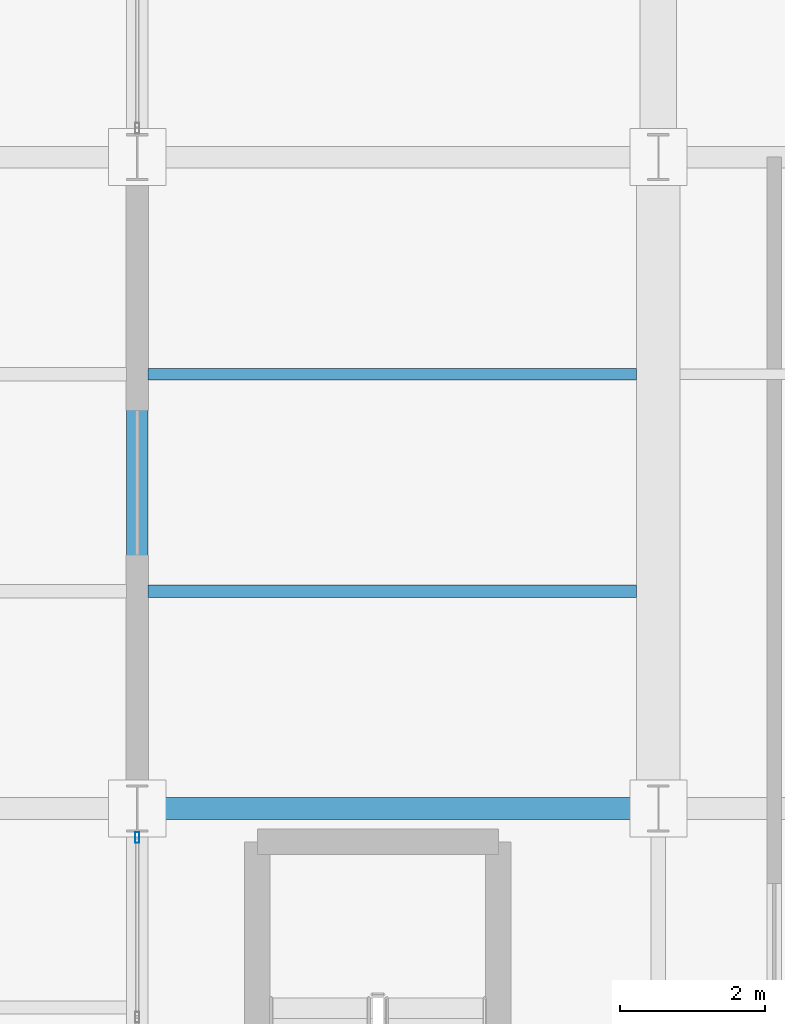
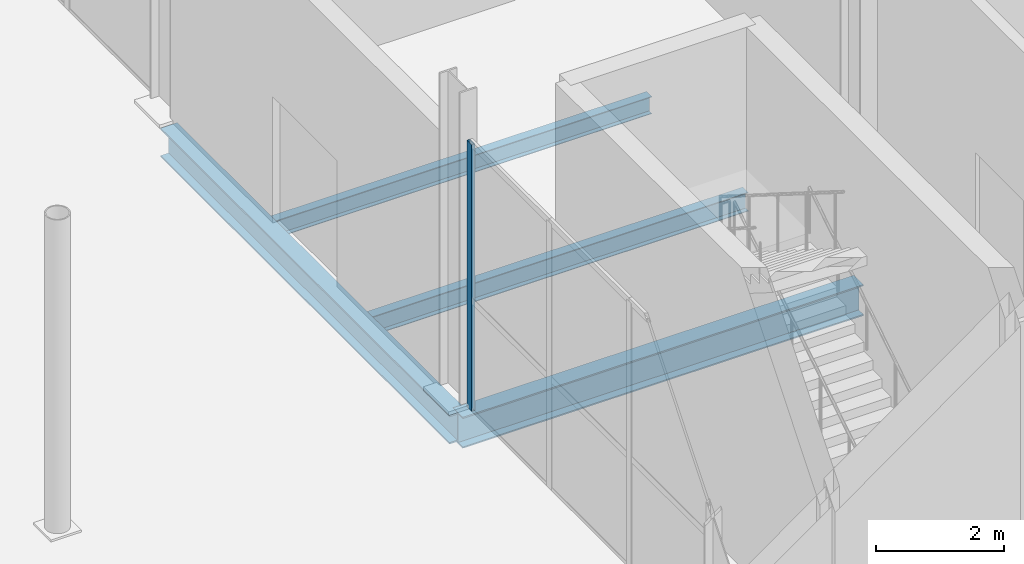
# One storey, part 42 of 144: 4 beams, 1 member, 1 element without a shape of its own.
"""IFC4 building model written with IfcOpenShell, lengths in metres."""

from ifc_helpers import new_model, si_unit, direction, frame, origin, origin_2d, place, context, subcontext, project, spatial, hollow_rectangle, i_section, extrude, material, layer, layer_set, material_profile, profile_set, type_object, element, aggregate, save


model = new_model("IFC4")

# Units and contexts
model_context = context("Model", 3, precision=1e-05, world=origin(), true_north=direction((0.0, 1.0)))
body_context = subcontext(model_context, "Body", "Model", "MODEL_VIEW")
ifc_project = project(units=[si_unit("LENGTHUNIT", "METRE"), si_unit("AREAUNIT", "SQUARE_METRE"), si_unit("VOLUMEUNIT", "CUBIC_METRE"), si_unit("PLANEANGLEUNIT", "RADIAN"), si_unit("MASSUNIT", "GRAM", prefix="KILO")], contexts=[model_context])

# Site, building, storey
site_placement = place(None, origin())
site = spatial("IfcSite", under=ifc_project, at=site_placement, CompositionType="ELEMENT")
building_placement = place(site_placement, origin())
building = spatial("IfcBuilding", under=site, at=building_placement, Name="Sundgate Opera House", CompositionType="ELEMENT")
storey_placement = place(building_placement, origin())
storey = spatial("IfcBuildingStorey", under=building, at=storey_placement, Name="L00", CompositionType="ELEMENT", Elevation=0.0)

# Beams
ifc_material_1 = material(Name="Steel S355J2", Category="steel")
ifc_material_profile_1 = material_profile(ifc_material_1, i_section(OverallWidth=0.300048828125, OverallDepth=0.590087890625, WebThickness=0.012939453125, FlangeThickness=0.02490234375, at=origin_2d()), Name="HEA 600")
ifc_profile_set_1 = profile_set([ifc_material_profile_1], Name="Steel S355J2")
beam_type_1 = type_object("IfcBeamType", Name="BM-GR-HEA600", PredefinedType="BEAM", material=ifc_profile_set_1)
beam_1_placement = place(storey_placement, frame((95.39990234375, 33.0, -0.614990234375), z_axis=(1.0, 0.0, 0.0), x_axis=(0.0, 1.0, 0.0)))
element("IfcBeam", 1, at=beam_1_placement, inside=storey, type_object=beam_type_1, Name="L00 Primary E-W Girder B0396", PredefinedType="BEAM", context=body_context, shape_type="SweptSolid", body=[
    extrude(i_section(OverallWidth=0.300048828125, OverallDepth=0.590087890625, WebThickness=0.012939453125, FlangeThickness=0.02490234375, at=origin_2d()), origin(), (0.0, 0.0, 1.0), 7.2001953125),
])
ifc_material_2 = material(Name="Steel S355J2", Category="steel")
ifc_material_profile_2 = material_profile(ifc_material_2, i_section(OverallWidth=0.300048828125, OverallDepth=0.550048828125, WebThickness=0.014892578125, FlangeThickness=0.029052734375, at=origin_2d()), Name="HEB 550")
ifc_profile_set_2 = profile_set([ifc_material_profile_2], Name="Steel S355J2")
beam_type_2 = type_object("IfcBeamType", Name="BM-GR-HEB550", PredefinedType="BEAM", material=ifc_profile_set_2)
beam_2_placement = place(storey_placement, frame((95.39990234375, 33.0, -0.594970703125), z_axis=(0.0, 1.0, 0.0), x_axis=(-1.0, 0.0, 0.0)))
element("IfcBeam", 2, at=beam_2_placement, inside=storey, type_object=beam_type_2, Name="L00 Primary N-S Girder B0194", PredefinedType="BEAM", context=body_context, shape_type="SweptSolid", body=[
    extrude(i_section(OverallWidth=0.300048828125, OverallDepth=0.550048828125, WebThickness=0.014892578125, FlangeThickness=0.029052734375, at=origin_2d()), origin(), (0.0, 0.0, 1.0), 9.0),
])
ifc_material_3 = material(Name="Steel S355J2", Category="steel")
ifc_material_profile_3 = material_profile(ifc_material_3, i_section(OverallWidth=0.159912109375, OverallDepth=0.330078125, WebThickness=0.007568359375, FlangeThickness=0.011474609375, at=origin_2d()), Name="IPE 330")
ifc_profile_set_3 = profile_set([ifc_material_profile_3], Name="Steel S355J2")
beam_type_3 = type_object("IfcBeamType", Name="BM-JS-IPE330", PredefinedType="JOIST", material=ifc_profile_set_3)
beam_3_placement = place(storey_placement, frame((95.550048828125, 39.0, -0.485107421875), z_axis=(1.0, 0.0, 0.0), x_axis=(0.0, 1.0, 0.0)))
element("IfcBeam", 3, at=beam_3_placement, inside=storey, type_object=beam_type_3, Name="L00 Secondary Floor Joist B0731", PredefinedType="JOIST", context=body_context, shape_type="SweptSolid", body=[
    extrude(i_section(OverallWidth=0.159912109375, OverallDepth=0.330078125, WebThickness=0.007568359375, FlangeThickness=0.011474609375, at=origin_2d()), origin(), (0.0, 0.0, 1.0), 6.75),
])
ifc_material_4 = material(Name="Steel S355J2", Category="steel")
ifc_material_profile_4 = material_profile(ifc_material_4, i_section(OverallWidth=0.169921875, OverallDepth=0.360107421875, WebThickness=0.008056640625, FlangeThickness=0.0126953125, at=origin_2d()), Name="IPE 360")
ifc_profile_set_4 = profile_set([ifc_material_profile_4], Name="Steel S355J2")
beam_type_4 = type_object("IfcBeamType", Name="BM-JS-IPE360", PredefinedType="JOIST", material=ifc_profile_set_4)
beam_4_placement = place(storey_placement, frame((95.550048828125, 36.0, -0.5), z_axis=(1.0, 0.0, 0.0), x_axis=(0.0, 1.0, 0.0)))
element("IfcBeam", 4, at=beam_4_placement, inside=storey, type_object=beam_type_4, Name="L00 Secondary Floor Joist B0730", PredefinedType="JOIST", context=body_context, shape_type="SweptSolid", body=[
    extrude(i_section(OverallWidth=0.169921875, OverallDepth=0.360107421875, WebThickness=0.008056640625, FlangeThickness=0.0126953125, at=origin_2d()), origin(), (0.0, 0.0, 1.0), 6.75),
])

# Curtain wall, member
ifc_material_5 = material(Name="Anodized aluminium and low-iron glass", Category="aluminium")
ifc_layer = layer(ifc_material_5, 0.14990234375)
ifc_layer_set = layer_set([ifc_layer], Name="Anodized aluminium and low-iron glass")
curtain_wall_type = type_object("IfcCurtainWallType", Name="CW-WORKSHOP-DARK", PredefinedType="NOTDEFINED", material=ifc_layer_set)
curtain_wall_placement = place(storey_placement, origin())
curtain_wall = element("IfcCurtainWall", 5, at=curtain_wall_placement, inside=storey, type_object=curtain_wall_type, Name="L00 Curtain Wall CW134", PredefinedType="NOTDEFINED")
ifc_material_6 = material(Name="Anodized aluminium EN AW-6063", Category="aluminium")
ifc_material_profile_5 = material_profile(ifc_material_6, hollow_rectangle(XDim=0.06005859375, YDim=0.14990234375, WallThickness=0.00390625, at=origin_2d()), Name="CWM 150x60x4")
ifc_profile_set_5 = profile_set([ifc_material_profile_5], Name="Anodized aluminium EN AW-6063")
member_type = type_object("IfcMemberType", Name="CWM-ALU-150x60", PredefinedType="MULLION", material=ifc_profile_set_5)
member_placement = place(storey_placement, frame((95.39990234375, 32.60009765625, 0.0), z_axis=(0.0, 0.0, 1.0), x_axis=(1.0, 0.0, 0.0)))
member = element("IfcMember", 6, at=member_placement, type_object=member_type, Name="CW134 Mullion 1", PredefinedType="MULLION", context=body_context, shape_type="SweptSolid", body=[
    extrude(hollow_rectangle(XDim=0.06005859375, YDim=0.14990234375, WallThickness=0.00390625, at=origin_2d()), origin(), (0.0, 0.0, 1.0), 5.06494140625),
])
aggregate(curtain_wall, [member])

save(model, "model.ifc")
